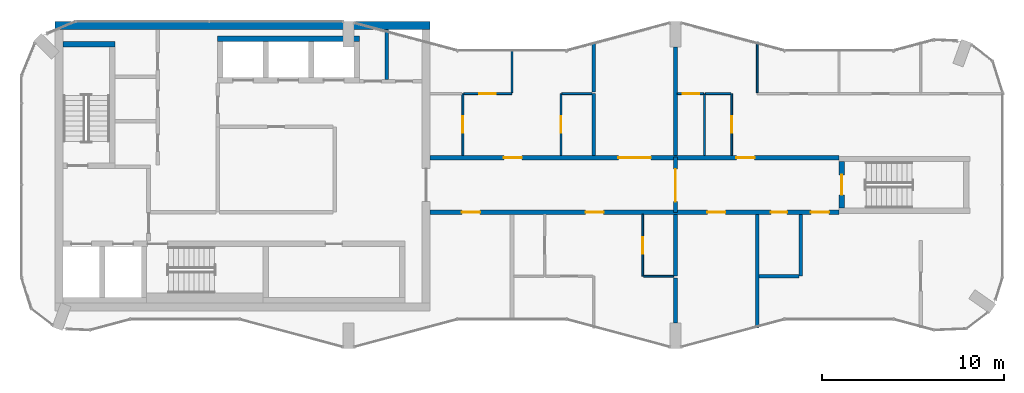
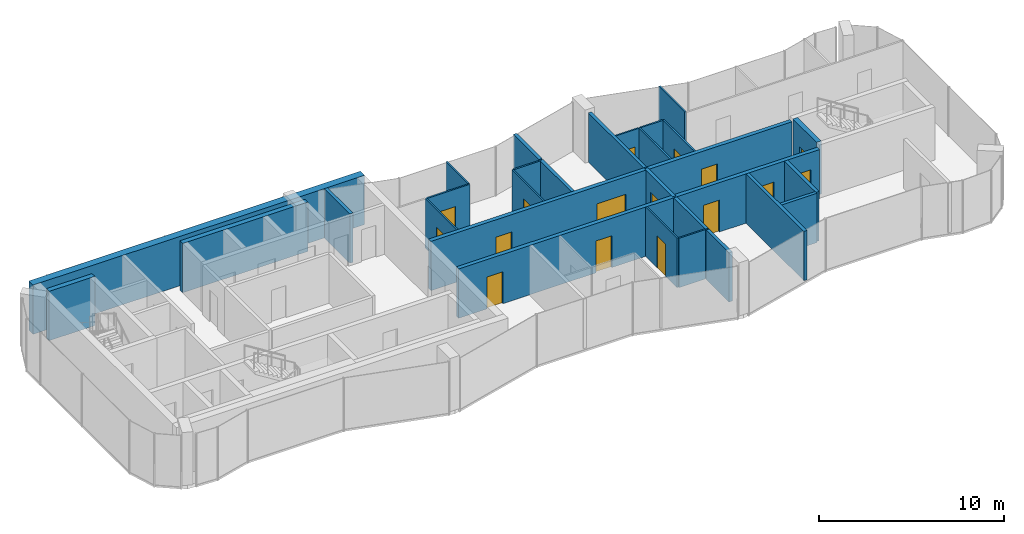
# One storey, part 8 of 10: 28 walls, 16 doors, 16 openings.
"""IFC4 building model written with IfcOpenShell, lengths in metres."""

from ifc_helpers import new_model, si_unit, direction, frame, frame_2d, origin, place, context, subcontext, project, spatial, rectangle, extrude, material, layer, layer_set, type_object, element, fill, save


model = new_model("IFC4")

# Units and contexts
model_context = context("Model", 3, precision=1e-05, world=origin(), true_north=direction((0.0, 1.0)))
body_context = subcontext(model_context, "Body", "Model", "MODEL_VIEW")
ifc_project = project(units=[si_unit("LENGTHUNIT", "METRE"), si_unit("AREAUNIT", "SQUARE_METRE"), si_unit("VOLUMEUNIT", "CUBIC_METRE"), si_unit("PLANEANGLEUNIT", "RADIAN"), si_unit("MASSUNIT", "GRAM", prefix="KILO")], contexts=[model_context])

# Site, building, storey
site_placement = place(None, origin())
site = spatial("IfcSite", under=ifc_project, at=site_placement, CompositionType="ELEMENT")
building_placement = place(site_placement, origin())
building = spatial("IfcBuilding", under=site, at=building_placement, Name="Plateau Cross Towers", CompositionType="ELEMENT")
storey_placement = place(building_placement, frame((0.0, 0.0, 280.89990234375)))
storey = spatial("IfcBuildingStorey", under=building, at=storey_placement, Name="L74", CompositionType="ELEMENT", Elevation=280.89990234375)

# Walls
ifc_material_1 = material(Name="Concrete block, plastered both sides", Category="concrete")
ifc_layer_1 = layer(ifc_material_1, 0.199951171875)
ifc_layer_set_1 = layer_set([ifc_layer_1], Name="Concrete block, plastered both sides")
wall_type_1 = type_object("IfcWallType", Name="Core partition 200", PredefinedType="PARTITIONING", material=ifc_layer_set_1)
wall_1_placement = place(storey_placement, frame((20.10009765625, 14.800048828125, 0.0), z_axis=(0.0, 0.0, 1.0), x_axis=(0.0, 1.0, 0.0)))
element("IfcWall", 1, at=wall_1_placement, inside=storey, type_object=wall_type_1, Name="Core partition", PredefinedType="PARTITIONING", context=body_context, shape_type="SweptSolid", body=[
    extrude(rectangle(XDim=2.75, YDim=0.199951171875, at=frame_2d((1.375, 0.0))), origin(), (0.0, 0.0, 1.0), 3.25),
])
ifc_material_2 = material(Name="Concrete C60/75", Category="concrete")
ifc_layer_2 = layer(ifc_material_2, 0.300048828125)
ifc_layer_set_2 = layer_set([ifc_layer_2], Name="Concrete C60/75")
wall_type_2 = type_object("IfcWallType", Name="Core shaft wall 300", PredefinedType="SHEAR", material=ifc_layer_set_2)
wall_2_placement = place(storey_placement, frame((2.300048828125, 16.75, 0.0), z_axis=(0.0, 0.0, 1.0), x_axis=(1.0, 0.0, 0.0)))
element("IfcWall", 2, at=wall_2_placement, inside=storey, type_object=wall_type_2, Name="A-st1-N@L74", PredefinedType="SHEAR", context=body_context, shape_type="SweptSolid", body=[
    extrude(rectangle(XDim=2.849853515625, YDim=0.300048828125, at=frame_2d((1.4248046875, 0.0))), origin(), (0.0, 0.0, 1.0), 3.25),
])
wall_3_placement = place(storey_placement, frame((10.800048828125, 17.050048828125, 0.0), z_axis=(0.0, 0.0, 1.0), x_axis=(1.0, 0.0, 0.0)))
element("IfcWall", 3, at=wall_3_placement, inside=storey, type_object=wall_type_2, Name="A-nb-back@L74", PredefinedType="SHEAR", context=body_context, shape_type="SweptSolid", body=[
    extrude(rectangle(XDim=7.800048828125, YDim=0.300048828125, at=frame_2d((3.89990234375, 0.0))), origin(), (0.0, 0.0, 1.0), 3.25),
])
ifc_layer_3 = layer(ifc_material_2, 0.449951171875)
ifc_layer_set_3 = layer_set([ifc_layer_3], Name="Concrete C60/75")
wall_type_3 = type_object("IfcWallType", Name="Core shell wall 450", PredefinedType="SHEAR", material=ifc_layer_set_3)
wall_4_placement = place(storey_placement, frame((1.85009765625, 17.77490234375, 0.0), z_axis=(0.0, 0.0, 1.0), x_axis=(1.0, 0.0, 0.0)))
element("IfcWall", 4, at=wall_4_placement, inside=storey, type_object=wall_type_3, Name="A-core-N@L74", PredefinedType="SHEAR", context=body_context, shape_type="SweptSolid", body=[
    extrude(rectangle(XDim=20.64990234375, YDim=0.449951171875, at=frame_2d((10.324951171875, 0.0))), origin(), (0.0, 0.0, 1.0), 3.25),
])

# Wall, openings, doors
ifc_layer_4 = layer(ifc_material_2, 0.25)
ifc_layer_set_4 = layer_set([ifc_layer_4], Name="Concrete C60/75")
wall_type_4 = type_object("IfcWallType", Name="Corridor wall 250", PredefinedType="SHEAR", material=ifc_layer_set_4)
wall_5_placement = place(storey_placement, frame((22.5, 7.5, 0.0), z_axis=(0.0, 0.0, 1.0), x_axis=(1.0, 0.0, 0.0)))
wall_5 = element("IfcWall", 5, at=wall_5_placement, inside=storey, type_object=wall_type_4, Name="A-cw-S1@L74", PredefinedType="SHEAR", context=body_context, shape_type="SweptSolid", body=[
    extrude(rectangle(XDim=22.5, YDim=0.25, at=frame_2d((11.25, 0.0))), origin(), (0.0, 0.0, 1.0), 3.25),
])
opening_1_placement = place(wall_5_placement, frame((1.75, 0.0, 0.0)))
opening_1 = element("IfcOpeningElement", 6, at=opening_1_placement, cuts=wall_5, Name="Opening 74-01", PredefinedType="OPENING", context=body_context, shape_type="SweptSolid", body=[
    extrude(rectangle(XDim=1.0, YDim=2.10009765625, at=frame_2d((0.5, 1.050048828125))), frame((0.0, 0.135009765625, 0.0), z_axis=(0.0, -1.0, 0.0), x_axis=(1.0, 0.0, 0.0)), (0.0, 0.0, 1.0), 0.27001953125),
])
opening_2_placement = place(wall_5_placement, frame((8.550048828125, 0.0, 0.0)))
opening_2 = element("IfcOpeningElement", 7, at=opening_2_placement, cuts=wall_5, Name="Opening 74-02", PredefinedType="OPENING", context=body_context, shape_type="SweptSolid", body=[
    extrude(rectangle(XDim=1.0, YDim=2.10009765625, at=frame_2d((0.5, 1.050048828125))), frame((0.0, 0.135009765625, 0.0), z_axis=(0.0, -1.0, 0.0), x_axis=(1.0, 0.0, 0.0)), (0.0, 0.0, 1.0), 0.27001953125),
])
opening_3_placement = place(wall_5_placement, frame((15.25, 0.0, 0.0)))
opening_3 = element("IfcOpeningElement", 8, at=opening_3_placement, cuts=wall_5, Name="Opening 74-03", PredefinedType="OPENING", context=body_context, shape_type="SweptSolid", body=[
    extrude(rectangle(XDim=1.0, YDim=2.10009765625, at=frame_2d((0.5, 1.050048828125))), frame((0.0, 0.135009765625, 0.0), z_axis=(0.0, -1.0, 0.0), x_axis=(1.0, 0.0, 0.0)), (0.0, 0.0, 1.0), 0.27001953125),
])
opening_4_placement = place(wall_5_placement, frame((18.75, 0.0, 0.0)))
opening_4 = element("IfcOpeningElement", 9, at=opening_4_placement, cuts=wall_5, Name="Opening 74-04", PredefinedType="OPENING", context=body_context, shape_type="SweptSolid", body=[
    extrude(rectangle(XDim=0.89990234375, YDim=2.10009765625, at=frame_2d((0.449951171875, 1.050048828125))), frame((0.0, 0.135009765625, 0.0), z_axis=(0.0, -1.0, 0.0), x_axis=(1.0, 0.0, 0.0)), (0.0, 0.0, 1.0), 0.27001953125),
])
opening_5_placement = place(wall_5_placement, frame((20.949951171875, 0.0, 0.0)))
opening_5 = element("IfcOpeningElement", 10, at=opening_5_placement, cuts=wall_5, Name="Opening 74-05", PredefinedType="OPENING", context=body_context, shape_type="SweptSolid", body=[
    extrude(rectangle(XDim=1.0, YDim=2.10009765625, at=frame_2d((0.5, 1.050048828125))), frame((0.0, 0.135009765625, 0.0), z_axis=(0.0, -1.0, 0.0), x_axis=(1.0, 0.0, 0.0)), (0.0, 0.0, 1.0), 0.27001953125),
])
ifc_material_3 = material(Name="Timber, fire-resisting leaf", Category="wood")
door_type_1 = type_object("IfcDoorType", Name="Flat entrance door 1000", OperationType="NOTDEFINED", PredefinedType="DOOR", material=ifc_material_3)
door_1_placement = place(opening_1_placement, origin())
door_1 = element("IfcDoor", 11, at=door_1_placement, inside=storey, type_object=door_type_1, Name="Door 74-01", OperationType="SINGLE_SWING_LEFT", OverallHeight=2.10009765625, OverallWidth=1.0, PredefinedType="DOOR", context=body_context, shape_type="SweptSolid", body=[
    extrude(rectangle(XDim=1.0, YDim=2.10009765625, at=frame_2d((0.5, 1.050048828125))), frame((0.0, 0.02490234375, 0.0), z_axis=(0.0, -1.0, 0.0), x_axis=(1.0, 0.0, 0.0)), (0.0, 0.0, 1.0), 0.050048828125),
])
fill(opening_1, door_1)
door_2_placement = place(opening_2_placement, origin())
door_2 = element("IfcDoor", 12, at=door_2_placement, inside=storey, type_object=door_type_1, Name="Door 74-02", OperationType="SINGLE_SWING_LEFT", OverallHeight=2.10009765625, OverallWidth=1.0, PredefinedType="DOOR", context=body_context, shape_type="SweptSolid", body=[
    extrude(rectangle(XDim=1.0, YDim=2.10009765625, at=frame_2d((0.5, 1.050048828125))), frame((0.0, 0.02490234375, 0.0), z_axis=(0.0, -1.0, 0.0), x_axis=(1.0, 0.0, 0.0)), (0.0, 0.0, 1.0), 0.050048828125),
])
fill(opening_2, door_2)
door_3_placement = place(opening_3_placement, origin())
door_3 = element("IfcDoor", 13, at=door_3_placement, inside=storey, type_object=door_type_1, Name="Door 74-03", OperationType="SINGLE_SWING_RIGHT", OverallHeight=2.10009765625, OverallWidth=1.0, PredefinedType="DOOR", context=body_context, shape_type="SweptSolid", body=[
    extrude(rectangle(XDim=1.0, YDim=2.10009765625, at=frame_2d((0.5, 1.050048828125))), frame((0.0, 0.02490234375, 0.0), z_axis=(0.0, -1.0, 0.0), x_axis=(1.0, 0.0, 0.0)), (0.0, 0.0, 1.0), 0.050048828125),
])
fill(opening_3, door_3)
door_4_placement = place(opening_5_placement, origin())
door_4 = element("IfcDoor", 14, at=door_4_placement, inside=storey, type_object=door_type_1, Name="Door 74-05", OperationType="SINGLE_SWING_RIGHT", OverallHeight=2.10009765625, OverallWidth=1.0, PredefinedType="DOOR", context=body_context, shape_type="SweptSolid", body=[
    extrude(rectangle(XDim=1.0, YDim=2.10009765625, at=frame_2d((0.5, 1.050048828125))), frame((0.0, 0.02490234375, 0.0), z_axis=(0.0, -1.0, 0.0), x_axis=(1.0, 0.0, 0.0)), (0.0, 0.0, 1.0), 0.050048828125),
])
fill(opening_5, door_4)
door_type_2 = type_object("IfcDoorType", Name="Flat floor service door 900", OperationType="NOTDEFINED", PredefinedType="DOOR", material=ifc_material_3)
door_5_placement = place(opening_4_placement, origin())
door_5 = element("IfcDoor", 15, at=door_5_placement, inside=storey, type_object=door_type_2, Name="Door 74-04", OperationType="SINGLE_SWING_RIGHT", OverallHeight=2.10009765625, OverallWidth=0.89990234375, PredefinedType="DOOR", context=body_context, shape_type="SweptSolid", body=[
    extrude(rectangle(XDim=0.89990234375, YDim=2.10009765625, at=frame_2d((0.449951171875, 1.050048828125))), frame((0.0, 0.02490234375, 0.0), z_axis=(0.0, -1.0, 0.0), x_axis=(1.0, 0.0, 0.0)), (0.0, 0.0, 1.0), 0.050048828125),
])
fill(opening_4, door_5)

wall_6_placement = place(storey_placement, frame((22.5, 10.5, 0.0), z_axis=(0.0, 0.0, 1.0), x_axis=(1.0, 0.0, 0.0)))
wall_6 = element("IfcWall", 16, at=wall_6_placement, inside=storey, type_object=wall_type_4, Name="A-cw-S2@L74", PredefinedType="SHEAR", context=body_context, shape_type="SweptSolid", body=[
    extrude(rectangle(XDim=22.5, YDim=0.25, at=frame_2d((11.25, 0.0))), origin(), (0.0, 0.0, 1.0), 3.25),
])
opening_6_placement = place(wall_6_placement, frame((4.050048828125, 0.0, 0.0)))
opening_6 = element("IfcOpeningElement", 17, at=opening_6_placement, cuts=wall_6, Name="Opening 74-06", PredefinedType="OPENING", context=body_context, shape_type="SweptSolid", body=[
    extrude(rectangle(XDim=1.0, YDim=2.10009765625, at=frame_2d((0.5, 1.050048828125))), frame((0.0, 0.135009765625, 0.0), z_axis=(0.0, -1.0, 0.0), x_axis=(1.0, 0.0, 0.0)), (0.0, 0.0, 1.0), 0.27001953125),
])
opening_7_placement = place(wall_6_placement, frame((10.35009765625, 0.0, 0.0)))
opening_7 = element("IfcOpeningElement", 18, at=opening_7_placement, cuts=wall_6, Name="Opening 74-07", PredefinedType="OPENING", context=body_context, shape_type="SweptSolid", body=[
    extrude(rectangle(XDim=1.800048828125, YDim=2.10009765625, at=frame_2d((0.89990234375, 1.050048828125))), frame((0.0, 0.135009765625, 0.0), z_axis=(0.0, -1.0, 0.0), x_axis=(1.0, 0.0, 0.0)), (0.0, 0.0, 1.0), 0.27001953125),
])
opening_8_placement = place(wall_6_placement, frame((16.85009765625, 0.0, 0.0)))
opening_8 = element("IfcOpeningElement", 19, at=opening_8_placement, cuts=wall_6, Name="Opening 74-08", PredefinedType="OPENING", context=body_context, shape_type="SweptSolid", body=[
    extrude(rectangle(XDim=1.0, YDim=2.10009765625, at=frame_2d((0.5, 1.050048828125))), frame((0.0, 0.135009765625, 0.0), z_axis=(0.0, -1.0, 0.0), x_axis=(1.0, 0.0, 0.0)), (0.0, 0.0, 1.0), 0.27001953125),
])
door_6_placement = place(opening_6_placement, origin())
door_6 = element("IfcDoor", 20, at=door_6_placement, inside=storey, type_object=door_type_1, Name="Door 74-06", OperationType="SINGLE_SWING_LEFT", OverallHeight=2.10009765625, OverallWidth=1.0, PredefinedType="DOOR", context=body_context, shape_type="SweptSolid", body=[
    extrude(rectangle(XDim=1.0, YDim=2.10009765625, at=frame_2d((0.5, 1.050048828125))), frame((0.0, 0.02490234375, 0.0), z_axis=(0.0, -1.0, 0.0), x_axis=(1.0, 0.0, 0.0)), (0.0, 0.0, 1.0), 0.050048828125),
])
fill(opening_6, door_6)
door_7_placement = place(opening_8_placement, origin())
door_7 = element("IfcDoor", 21, at=door_7_placement, inside=storey, type_object=door_type_1, Name="Door 74-08", OperationType="SINGLE_SWING_RIGHT", OverallHeight=2.10009765625, OverallWidth=1.0, PredefinedType="DOOR", context=body_context, shape_type="SweptSolid", body=[
    extrude(rectangle(XDim=1.0, YDim=2.10009765625, at=frame_2d((0.5, 1.050048828125))), frame((0.0, 0.02490234375, 0.0), z_axis=(0.0, -1.0, 0.0), x_axis=(1.0, 0.0, 0.0)), (0.0, 0.0, 1.0), 0.050048828125),
])
fill(opening_8, door_7)
ifc_material_4 = material(Name="Timber, fire-resisting leaves", Category="wood")
door_type_3 = type_object("IfcDoorType", Name="Flat floor fire door pair 1800", OperationType="NOTDEFINED", PredefinedType="DOOR", material=ifc_material_4)
door_8_placement = place(opening_7_placement, origin())
door_8 = element("IfcDoor", 22, at=door_8_placement, inside=storey, type_object=door_type_3, Name="Door 74-07", OperationType="SINGLE_SWING_LEFT", OverallHeight=2.10009765625, OverallWidth=1.800048828125, PredefinedType="DOOR", context=body_context, shape_type="SweptSolid", body=[
    extrude(rectangle(XDim=1.800048828125, YDim=2.10009765625, at=frame_2d((0.89990234375, 1.050048828125))), frame((0.0, 0.02490234375, 0.0), z_axis=(0.0, -1.0, 0.0), x_axis=(1.0, 0.0, 0.0)), (0.0, 0.0, 1.0), 0.050048828125),
])
fill(opening_7, door_8)

# Walls
ifc_material_5 = material(Name="Gypsum board on steel studs", Category="steel")
ifc_layer_5 = layer(ifc_material_5, 0.10009765625)
ifc_layer_set_5 = layer_set([ifc_layer_5], Name="Gypsum board on steel studs")
wall_type_5 = type_object("IfcWallType", Name="Flat partition 100", PredefinedType="PARTITIONING", material=ifc_layer_set_5)
for number, where, z_axis, x_axis, name in (
    (23, (34.25, 3.97509765625, 0.0), (0.0, 0.0, 1.0), (1.0, 0.0, 0.0), "Partition wall"),
    (24, (31.39990234375, 14.02490234375, 0.0), (0.0, 0.0, 1.0), (-1.0, 0.0, 0.0), "Partition wall"),
):
    element("IfcWall", number, at=place(storey_placement, frame(where, z_axis=z_axis, x_axis=x_axis)), inside=storey, type_object=wall_type_5, Name=name, PredefinedType="PARTITIONING", context=body_context, shape_type="SweptSolid", body=[
        extrude(rectangle(XDim=1.64990234375, YDim=0.10009765625, at=frame_2d((0.824951171875, 0.0))), origin(), (0.0, 0.0, 1.0), 3.25),
    ])

# Wall, opening, door
wall_7_placement = place(storey_placement, frame((37.550048828125, 14.02490234375, 0.0), z_axis=(0.0, 0.0, 1.0), x_axis=(-1.0, 0.0, 0.0)))
wall_7 = element("IfcWall", 25, at=wall_7_placement, inside=storey, type_object=wall_type_5, Name="Partition wall", PredefinedType="PARTITIONING", context=body_context, shape_type="SweptSolid", body=[
    extrude(rectangle(XDim=1.449951171875, YDim=0.10009765625, at=frame_2d((0.72509765625, 0.0))), origin(), (0.0, 0.0, 1.0), 3.25),
])
opening_9_placement = place(wall_7_placement, frame((0.25, 0.0, 0.0)))
opening_9 = element("IfcOpeningElement", 26, at=opening_9_placement, cuts=wall_7, Name="Opening 74-17", PredefinedType="OPENING", context=body_context, shape_type="SweptSolid", body=[
    extrude(rectangle(XDim=0.89990234375, YDim=2.10009765625, at=frame_2d((0.449951171875, 1.050048828125))), frame((0.0, 0.06005859375, 0.0), z_axis=(0.0, -1.0, 0.0), x_axis=(1.0, 0.0, 0.0)), (0.0, 0.0, 1.0), 0.1201171875),
])
ifc_material_6 = material(Name="Timber leaf", Category="wood")
door_type_4 = type_object("IfcDoorType", Name="Flat room door 900", OperationType="NOTDEFINED", PredefinedType="DOOR", material=ifc_material_6)
door_9_placement = place(opening_9_placement, origin())
door_9 = element("IfcDoor", 27, at=door_9_placement, inside=storey, type_object=door_type_4, Name="Door 74-17", OperationType="SINGLE_SWING_LEFT", OverallHeight=2.10009765625, OverallWidth=0.89990234375, PredefinedType="DOOR", context=body_context, shape_type="SweptSolid", body=[
    extrude(rectangle(XDim=0.89990234375, YDim=2.10009765625, at=frame_2d((0.449951171875, 1.050048828125))), frame((0.0, 0.02490234375, 0.0), z_axis=(0.0, -1.0, 0.0), x_axis=(1.0, 0.0, 0.0)), (0.0, 0.0, 1.0), 0.050048828125),
])
fill(opening_9, door_9)

# Wall
wall_8_placement = place(storey_placement, frame((39.050048828125, 14.02490234375, 0.0), z_axis=(0.0, 0.0, 1.0), x_axis=(-1.0, 0.0, 0.0)))
element("IfcWall", 28, at=wall_8_placement, inside=storey, type_object=wall_type_5, Name="Partition wall", PredefinedType="PARTITIONING", context=body_context, shape_type="SweptSolid", body=[
    extrude(rectangle(XDim=1.400146484375, YDim=0.10009765625, at=frame_2d((0.7001953125, 0.0))), origin(), (0.0, 0.0, 1.0), 3.25),
])

# Wall, opening, door
wall_9_placement = place(storey_placement, frame((24.35009765625, 14.02490234375, 0.0), z_axis=(0.0, 0.0, 1.0), x_axis=(1.0, 0.0, 0.0)))
wall_9 = element("IfcWall", 29, at=wall_9_placement, inside=storey, type_object=wall_type_5, Name="Partition wall", PredefinedType="PARTITIONING", context=body_context, shape_type="SweptSolid", body=[
    extrude(rectangle(XDim=2.64990234375, YDim=0.10009765625, at=frame_2d((1.324951171875, 0.0))), origin(), (0.0, 0.0, 1.0), 3.25),
])
opening_10_placement = place(wall_9_placement, frame((0.85009765625, 0.0, 0.0)))
opening_10 = element("IfcOpeningElement", 30, at=opening_10_placement, cuts=wall_9, Name="Opening 74-16", PredefinedType="OPENING", context=body_context, shape_type="SweptSolid", body=[
    extrude(rectangle(XDim=0.89990234375, YDim=2.10009765625, at=frame_2d((0.449951171875, 1.050048828125))), frame((0.0, 0.06005859375, 0.0), z_axis=(0.0, -1.0, 0.0), x_axis=(1.0, 0.0, 0.0)), (0.0, 0.0, 1.0), 0.1201171875),
])
door_10_placement = place(opening_10_placement, origin())
door_10 = element("IfcDoor", 31, at=door_10_placement, inside=storey, type_object=door_type_4, Name="Door 74-16", OperationType="SINGLE_SWING_LEFT", OverallHeight=2.10009765625, OverallWidth=0.89990234375, PredefinedType="DOOR", context=body_context, shape_type="SweptSolid", body=[
    extrude(rectangle(XDim=0.89990234375, YDim=2.10009765625, at=frame_2d((0.449951171875, 1.050048828125))), frame((0.0, 0.02490234375, 0.0), z_axis=(0.0, -1.0, 0.0), x_axis=(1.0, 0.0, 0.0)), (0.0, 0.0, 1.0), 0.050048828125),
])
fill(opening_10, door_10)

wall_10_placement = place(storey_placement, frame((24.300048828125, 10.625, 0.0), z_axis=(0.0, 0.0, 1.0), x_axis=(0.0, 1.0, 0.0)))
wall_10 = element("IfcWall", 32, at=wall_10_placement, inside=storey, type_object=wall_type_5, Name="Partition wall", PredefinedType="PARTITIONING", context=body_context, shape_type="SweptSolid", body=[
    extrude(rectangle(XDim=3.39990234375, YDim=0.10009765625, at=frame_2d((1.699951171875, 0.0))), origin(), (0.0, 0.0, 1.0), 3.25),
])
opening_11_placement = place(wall_10_placement, frame((1.25, 0.0, 0.0)))
opening_11 = element("IfcOpeningElement", 33, at=opening_11_placement, cuts=wall_10, Name="Opening 74-14", PredefinedType="OPENING", context=body_context, shape_type="SweptSolid", body=[
    extrude(rectangle(XDim=0.89990234375, YDim=2.10009765625, at=frame_2d((0.449951171875, 1.050048828125))), frame((0.0, 0.06005859375, 0.0), z_axis=(0.0, -1.0, 0.0), x_axis=(1.0, 0.0, 0.0)), (0.0, 0.0, 1.0), 0.1201171875),
])
door_11_placement = place(opening_11_placement, origin())
door_11 = element("IfcDoor", 34, at=door_11_placement, inside=storey, type_object=door_type_4, Name="Door 74-14", OperationType="SINGLE_SWING_LEFT", OverallHeight=2.10009765625, OverallWidth=0.89990234375, PredefinedType="DOOR", context=body_context, shape_type="SweptSolid", body=[
    extrude(rectangle(XDim=0.89990234375, YDim=2.10009765625, at=frame_2d((0.449951171875, 1.050048828125))), frame((0.0, 0.02490234375, 0.0), z_axis=(0.0, -1.0, 0.0), x_axis=(1.0, 0.0, 0.0)), (0.0, 0.0, 1.0), 0.050048828125),
])
fill(opening_11, door_11)

# Wall
wall_11_placement = place(storey_placement, frame((27.0, 14.074951171875, 0.0), z_axis=(0.0, 0.0, 1.0), x_axis=(0.0, 1.0, 0.0)))
element("IfcWall", 35, at=wall_11_placement, inside=storey, type_object=wall_type_5, Name="Partition wall", PredefinedType="PARTITIONING", context=body_context, shape_type="SweptSolid", body=[
    extrude(rectangle(XDim=2.398193359375, YDim=0.10009765625, at=frame_2d((1.19921875, 0.0))), origin(), (0.0, 0.0, 1.0), 3.25),
])

# Wall, opening, door
wall_12_placement = place(storey_placement, frame((29.699951171875, 14.02490234375, 0.0), z_axis=(0.0, 0.0, 1.0), x_axis=(0.0, -1.0, 0.0)))
wall_12 = element("IfcWall", 36, at=wall_12_placement, inside=storey, type_object=wall_type_5, Name="Partition wall", PredefinedType="PARTITIONING", context=body_context, shape_type="SweptSolid", body=[
    extrude(rectangle(XDim=3.39990234375, YDim=0.10009765625, at=frame_2d((1.699951171875, 0.0))), origin(), (0.0, 0.0, 1.0), 3.25),
])
opening_12_placement = place(wall_12_placement, frame((1.25, 0.0, 0.0)))
opening_12 = element("IfcOpeningElement", 37, at=opening_12_placement, cuts=wall_12, Name="Opening 74-15", PredefinedType="OPENING", context=body_context, shape_type="SweptSolid", body=[
    extrude(rectangle(XDim=0.89990234375, YDim=2.10009765625, at=frame_2d((0.449951171875, 1.050048828125))), frame((0.0, 0.06005859375, 0.0), z_axis=(0.0, -1.0, 0.0), x_axis=(1.0, 0.0, 0.0)), (0.0, 0.0, 1.0), 0.1201171875),
])
door_12_placement = place(opening_12_placement, origin())
door_12 = element("IfcDoor", 38, at=door_12_placement, inside=storey, type_object=door_type_4, Name="Door 74-15", OperationType="SINGLE_SWING_LEFT", OverallHeight=2.10009765625, OverallWidth=0.89990234375, PredefinedType="DOOR", context=body_context, shape_type="SweptSolid", body=[
    extrude(rectangle(XDim=0.89990234375, YDim=2.10009765625, at=frame_2d((0.449951171875, 1.050048828125))), frame((0.0, 0.02490234375, 0.0), z_axis=(0.0, -1.0, 0.0), x_axis=(1.0, 0.0, 0.0)), (0.0, 0.0, 1.0), 0.050048828125),
])
fill(opening_12, door_12)

wall_13_placement = place(storey_placement, frame((34.199951171875, 7.375, 0.0), z_axis=(0.0, 0.0, 1.0), x_axis=(0.0, -1.0, 0.0)))
wall_13 = element("IfcWall", 39, at=wall_13_placement, inside=storey, type_object=wall_type_5, Name="Partition wall", PredefinedType="PARTITIONING", context=body_context, shape_type="SweptSolid", body=[
    extrude(rectangle(XDim=3.39990234375, YDim=0.10009765625, at=frame_2d((1.699951171875, 0.0))), origin(), (0.0, 0.0, 1.0), 3.25),
])
opening_13_placement = place(wall_13_placement, frame((1.25, 0.0, 0.0)))
opening_13 = element("IfcOpeningElement", 40, at=opening_13_placement, cuts=wall_13, Name="Opening 74-12", PredefinedType="OPENING", context=body_context, shape_type="SweptSolid", body=[
    extrude(rectangle(XDim=0.89990234375, YDim=2.10009765625, at=frame_2d((0.449951171875, 1.050048828125))), frame((0.0, 0.06005859375, 0.0), z_axis=(0.0, -1.0, 0.0), x_axis=(1.0, 0.0, 0.0)), (0.0, 0.0, 1.0), 0.1201171875),
])
door_13_placement = place(opening_13_placement, origin())
door_13 = element("IfcDoor", 41, at=door_13_placement, inside=storey, type_object=door_type_4, Name="Door 74-12", OperationType="SINGLE_SWING_LEFT", OverallHeight=2.10009765625, OverallWidth=0.89990234375, PredefinedType="DOOR", context=body_context, shape_type="SweptSolid", body=[
    extrude(rectangle(XDim=0.89990234375, YDim=2.10009765625, at=frame_2d((0.449951171875, 1.050048828125))), frame((0.0, 0.02490234375, 0.0), z_axis=(0.0, -1.0, 0.0), x_axis=(1.0, 0.0, 0.0)), (0.0, 0.0, 1.0), 0.050048828125),
])
fill(opening_13, door_13)

# Wall
wall_14_placement = place(storey_placement, frame((37.60009765625, 10.625, 0.0), z_axis=(0.0, 0.0, 1.0), x_axis=(0.0, 1.0, 0.0)))
element("IfcWall", 42, at=wall_14_placement, inside=storey, type_object=wall_type_5, Name="Partition wall", PredefinedType="PARTITIONING", context=body_context, shape_type="SweptSolid", body=[
    extrude(rectangle(XDim=3.39990234375, YDim=0.10009765625, at=frame_2d((1.699951171875, 0.0))), origin(), (0.0, 0.0, 1.0), 3.25),
])

# Wall, opening, door
wall_15_placement = place(storey_placement, frame((39.10009765625, 10.625, 0.0), z_axis=(0.0, 0.0, 1.0), x_axis=(0.0, 1.0, 0.0)))
wall_15 = element("IfcWall", 43, at=wall_15_placement, inside=storey, type_object=wall_type_5, Name="Partition wall", PredefinedType="PARTITIONING", context=body_context, shape_type="SweptSolid", body=[
    extrude(rectangle(XDim=3.39990234375, YDim=0.10009765625, at=frame_2d((1.699951171875, 0.0))), origin(), (0.0, 0.0, 1.0), 3.25),
])
opening_14_placement = place(wall_15_placement, frame((1.25, 0.0, 0.0)))
opening_14 = element("IfcOpeningElement", 44, at=opening_14_placement, cuts=wall_15, Name="Opening 74-18", PredefinedType="OPENING", context=body_context, shape_type="SweptSolid", body=[
    extrude(rectangle(XDim=0.89990234375, YDim=2.10009765625, at=frame_2d((0.449951171875, 1.050048828125))), frame((0.0, 0.06005859375, 0.0), z_axis=(0.0, -1.0, 0.0), x_axis=(1.0, 0.0, 0.0)), (0.0, 0.0, 1.0), 0.1201171875),
])
door_14_placement = place(opening_14_placement, origin())
door_14 = element("IfcDoor", 45, at=door_14_placement, inside=storey, type_object=door_type_4, Name="Door 74-18", OperationType="SINGLE_SWING_LEFT", OverallHeight=2.10009765625, OverallWidth=0.89990234375, PredefinedType="DOOR", context=body_context, shape_type="SweptSolid", body=[
    extrude(rectangle(XDim=0.89990234375, YDim=2.10009765625, at=frame_2d((0.449951171875, 1.050048828125))), frame((0.0, 0.02490234375, 0.0), z_axis=(0.0, -1.0, 0.0), x_axis=(1.0, 0.0, 0.0)), (0.0, 0.0, 1.0), 0.050048828125),
])
fill(opening_14, door_14)

# Walls
wall_16_placement = place(storey_placement, frame((40.5, 16.877685546875, 0.0), z_axis=(0.0, 0.0, 1.0), x_axis=(0.0, -1.0, 0.0)))
element("IfcWall", 46, at=wall_16_placement, inside=storey, type_object=wall_type_5, Name="Partition wall", PredefinedType="PARTITIONING", context=body_context, shape_type="SweptSolid", body=[
    extrude(rectangle(XDim=2.802734375, YDim=0.10009765625, at=frame_2d((1.4013671875, 0.0))), origin(), (0.0, 0.0, 1.0), 3.25),
])
ifc_material_7 = material(Name="Gypsum board on steel studs, two layers each side", Category="steel")
ifc_layer_6 = layer(ifc_material_7, 0.199951171875)
ifc_layer_set_6 = layer_set([ifc_layer_6], Name="Gypsum board on steel studs, two layers each side")
wall_type_6 = type_object("IfcWallType", Name="Flat party wall 200", PredefinedType="PARTITIONING", material=ifc_layer_set_6)
wall_17_placement = place(storey_placement, frame((40.60009765625, 3.97509765625, 0.0), z_axis=(0.0, 0.0, 1.0), x_axis=(1.0, 0.0, 0.0)))
element("IfcWall", 47, at=wall_17_placement, inside=storey, type_object=wall_type_6, Name="Party wall", PredefinedType="PARTITIONING", context=body_context, shape_type="SweptSolid", body=[
    extrude(rectangle(XDim=2.199951171875, YDim=0.199951171875, at=frame_2d((1.10009765625, 0.0))), origin(), (0.0, 0.0, 1.0), 3.25),
])
wall_18_placement = place(storey_placement, frame((31.5, 16.877685546875, 0.0), z_axis=(0.0, 0.0, 1.0), x_axis=(0.0, -1.0, 0.0)))
element("IfcWall", 48, at=wall_18_placement, inside=storey, type_object=wall_type_6, Name="Party wall", PredefinedType="PARTITIONING", context=body_context, shape_type="SweptSolid", body=[
    extrude(rectangle(XDim=2.752685546875, YDim=0.199951171875, at=frame_2d((1.37646484375, 0.0))), origin(), (0.0, 0.0, 1.0), 3.25),
])
wall_19_placement = place(storey_placement, frame((31.5, 10.625, 0.0), z_axis=(0.0, 0.0, 1.0), x_axis=(0.0, 1.0, 0.0)))
element("IfcWall", 49, at=wall_19_placement, inside=storey, type_object=wall_type_6, Name="Party wall", PredefinedType="PARTITIONING", context=body_context, shape_type="SweptSolid", body=[
    extrude(rectangle(XDim=3.39990234375, YDim=0.199951171875, at=frame_2d((1.699951171875, 0.0))), origin(), (0.0, 0.0, 1.0), 3.25),
])
wall_20_placement = place(storey_placement, frame((36.0, 3.875, 0.0), z_axis=(0.0, 0.0, 1.0), x_axis=(0.0, -1.0, 0.0)))
element("IfcWall", 50, at=wall_20_placement, inside=storey, type_object=wall_type_6, Name="Party wall", PredefinedType="PARTITIONING", context=body_context, shape_type="SweptSolid", body=[
    extrude(rectangle(XDim=2.47509765625, YDim=0.199951171875, at=frame_2d((1.237548828125, 0.0))), origin(), (0.0, 0.0, 1.0), 3.25),
])
wall_21_placement = place(storey_placement, frame((36.0, 3.97509765625, 0.0), z_axis=(0.0, 0.0, 1.0), x_axis=(0.0, 1.0, 0.0)))
element("IfcWall", 51, at=wall_21_placement, inside=storey, type_object=wall_type_6, Name="Party wall", PredefinedType="PARTITIONING", context=body_context, shape_type="SweptSolid", body=[
    extrude(rectangle(XDim=3.39990234375, YDim=0.199951171875, at=frame_2d((1.699951171875, 0.0))), origin(), (0.0, 0.0, 1.0), 3.25),
])
wall_22_placement = place(storey_placement, frame((36.0, 10.625, 0.0), z_axis=(0.0, 0.0, 1.0), x_axis=(0.0, 1.0, 0.0)))
element("IfcWall", 52, at=wall_22_placement, inside=storey, type_object=wall_type_6, Name="Party wall", PredefinedType="PARTITIONING", context=body_context, shape_type="SweptSolid", body=[
    extrude(rectangle(XDim=5.97509765625, YDim=0.199951171875, at=frame_2d((2.987548828125, 0.0))), origin(), (0.0, 0.0, 1.0), 3.25),
])
wall_23_placement = place(storey_placement, frame((40.5, 1.122314453125, 0.0), z_axis=(0.0, 0.0, 1.0), x_axis=(0.0, 1.0, 0.0)))
element("IfcWall", 53, at=wall_23_placement, inside=storey, type_object=wall_type_6, Name="Party wall", PredefinedType="PARTITIONING", context=body_context, shape_type="SweptSolid", body=[
    extrude(rectangle(XDim=6.252685546875, YDim=0.199951171875, at=frame_2d((3.12646484375, 0.0))), origin(), (0.0, 0.0, 1.0), 3.25),
])
wall_24_placement = place(storey_placement, frame((42.89990234375, 3.97509765625, 0.0), z_axis=(0.0, 0.0, 1.0), x_axis=(0.0, 1.0, 0.0)))
element("IfcWall", 54, at=wall_24_placement, inside=storey, type_object=wall_type_6, Name="Party wall", PredefinedType="PARTITIONING", context=body_context, shape_type="SweptSolid", body=[
    extrude(rectangle(XDim=3.39990234375, YDim=0.199951171875, at=frame_2d((1.699951171875, 0.0))), origin(), (0.0, 0.0, 1.0), 3.25),
])

# Wall, opening, door
wall_25_placement = place(storey_placement, frame((36.0, 7.47509765625, 0.0), z_axis=(0.0, 0.0, 1.0), x_axis=(0.0, 1.0, 0.0)))
wall_25 = element("IfcWall", 55, at=wall_25_placement, inside=storey, type_object=wall_type_6, Name="Party wall", PredefinedType="PARTITIONING", context=body_context, shape_type="SweptSolid", body=[
    extrude(rectangle(XDim=3.0498046875, YDim=0.199951171875, at=frame_2d((1.52490234375, 0.0))), origin(), (0.0, 0.0, 1.0), 3.25),
])
opening_15_placement = place(wall_25_placement, frame((0.60009765625, 0.0, 0.0)))
opening_15 = element("IfcOpeningElement", 56, at=opening_15_placement, cuts=wall_25, Name="Opening 74-09", PredefinedType="OPENING", context=body_context, shape_type="SweptSolid", body=[
    extrude(rectangle(XDim=1.800048828125, YDim=2.10009765625, at=frame_2d((0.89990234375, 1.050048828125))), frame((0.0, 0.10986328125, 0.0), z_axis=(0.0, -1.0, 0.0), x_axis=(1.0, 0.0, 0.0)), (0.0, 0.0, 1.0), 0.219970703125),
])
door_15_placement = place(opening_15_placement, origin())
door_15 = element("IfcDoor", 57, at=door_15_placement, inside=storey, type_object=door_type_3, Name="Door 74-09", OperationType="SINGLE_SWING_LEFT", OverallHeight=2.10009765625, OverallWidth=1.800048828125, PredefinedType="DOOR", context=body_context, shape_type="SweptSolid", body=[
    extrude(rectangle(XDim=1.800048828125, YDim=2.10009765625, at=frame_2d((0.89990234375, 1.050048828125))), frame((0.0, 0.02490234375, 0.0), z_axis=(0.0, -1.0, 0.0), x_axis=(1.0, 0.0, 0.0)), (0.0, 0.0, 1.0), 0.050048828125),
])
fill(opening_15, door_15)

ifc_layer_7 = layer(ifc_material_2, 0.300048828125)
ifc_layer_set_7 = layer_set([ifc_layer_7], Name="Concrete C60/75")
wall_type_7 = type_object("IfcWallType", Name="Stair tower wall 300", PredefinedType="SHEAR", material=ifc_layer_set_7)
wall_26_placement = place(storey_placement, frame((45.14990234375, 7.72509765625, 0.0), z_axis=(0.0, 0.0, 1.0), x_axis=(0.0, 1.0, 0.0)))
wall_26 = element("IfcWall", 58, at=wall_26_placement, inside=storey, type_object=wall_type_7, Name="A-end-E-W@L74", PredefinedType="SHEAR", context=body_context, shape_type="SweptSolid", body=[
    extrude(rectangle(XDim=2.5498046875, YDim=0.300048828125, at=frame_2d((1.27490234375, 0.0))), origin(), (0.0, 0.0, 1.0), 3.5),
])
opening_16_placement = place(wall_26_placement, frame((0.72509765625, 0.0, 0.0)))
opening_16 = element("IfcOpeningElement", 59, at=opening_16_placement, cuts=wall_26, Name="Opening SD", PredefinedType="OPENING", context=body_context, shape_type="SweptSolid", body=[
    extrude(rectangle(XDim=1.10009765625, YDim=2.10009765625, at=frame_2d((0.550048828125, 1.050048828125))), frame((0.0, 0.159912109375, 0.0), z_axis=(0.0, -1.0, 0.0), x_axis=(1.0, 0.0, 0.0)), (0.0, 0.0, 1.0), 0.320068359375),
])
ifc_material_8 = material(Name="Steel, fire-resisting leaf", Category="steel")
door_type_5 = type_object("IfcDoorType", Name="Stair door 1100", OperationType="NOTDEFINED", PredefinedType="DOOR", material=ifc_material_8)
door_16_placement = place(opening_16_placement, origin())
door_16 = element("IfcDoor", 60, at=door_16_placement, inside=storey, type_object=door_type_5, Name="Stair door SD", OperationType="SINGLE_SWING_LEFT", OverallHeight=2.10009765625, OverallWidth=1.10009765625, PredefinedType="DOOR", context=body_context, shape_type="SweptSolid", body=[
    extrude(rectangle(XDim=1.10009765625, YDim=2.10009765625, at=frame_2d((0.550048828125, 1.050048828125))), frame((0.0, 0.02490234375, 0.0), z_axis=(0.0, -1.0, 0.0), x_axis=(1.0, 0.0, 0.0)), (0.0, 0.0, 1.0), 0.050048828125),
])
fill(opening_16, door_16)

save(model, "model.ifc")
